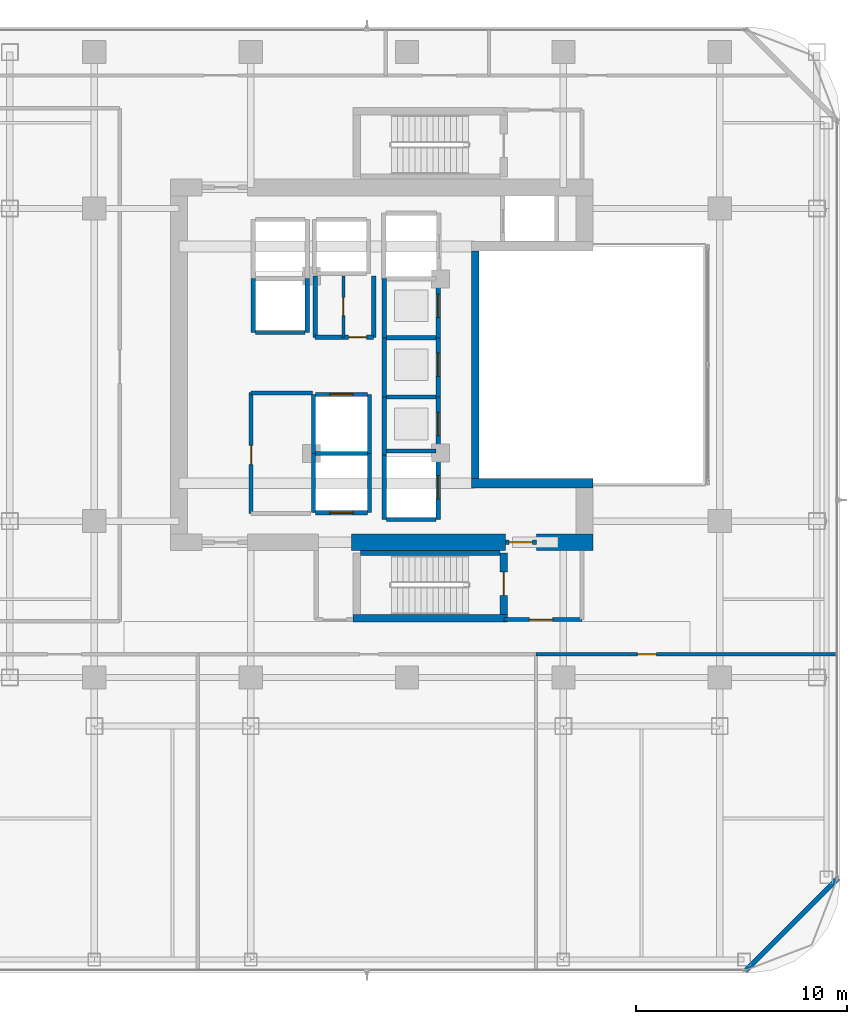
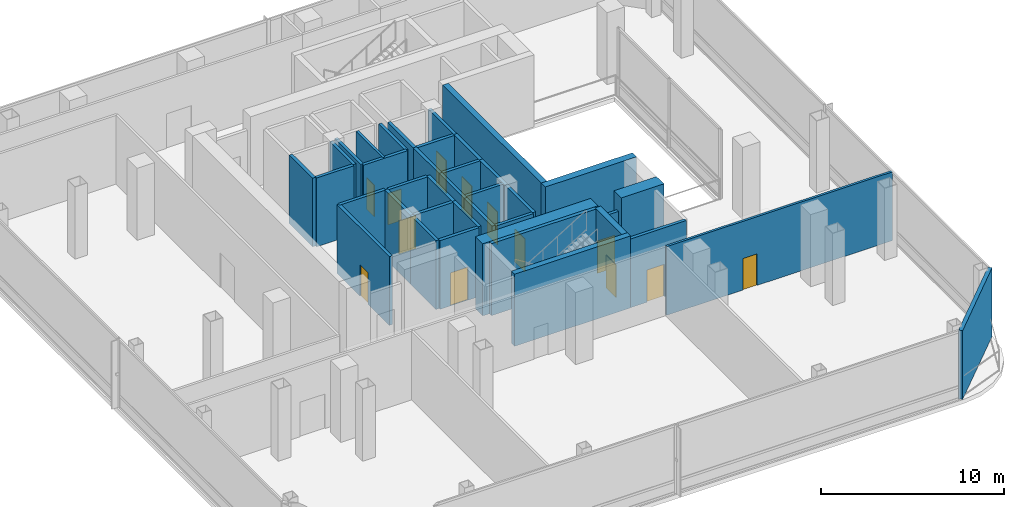
# One storey, part 16 of 22: 39 walls, 13 doors, 13 openings.
"""IFC4 building model written with IfcOpenShell, lengths in metres."""

from ifc_helpers import new_model, si_unit, direction, frame, frame_2d, origin, place, context, subcontext, project, spatial, rectangle, extrude, material, layer, layer_set, type_object, element, fill, save


model = new_model("IFC4")

# Units and contexts
model_context = context("Model", 3, precision=1e-05, world=origin(), true_north=direction((0.0, 1.0)))
body_context = subcontext(model_context, "Body", "Model", "MODEL_VIEW")
ifc_project = project(units=[si_unit("LENGTHUNIT", "METRE"), si_unit("AREAUNIT", "SQUARE_METRE"), si_unit("VOLUMEUNIT", "CUBIC_METRE"), si_unit("PLANEANGLEUNIT", "RADIAN"), si_unit("MASSUNIT", "GRAM", prefix="KILO")], contexts=[model_context])

# Site, building, storey
site_placement = place(None, origin())
site = spatial("IfcSite", under=ifc_project, at=site_placement, CompositionType="ELEMENT")
building_placement = place(site_placement, origin())
building = spatial("IfcBuilding", under=site, at=building_placement, Name="Khorvyn Point Tower", CompositionType="ELEMENT")
storey_placement = place(building_placement, frame((0.0, 0.0, 210.89990234375)))
storey = spatial("IfcBuildingStorey", under=building, at=storey_placement, Name="L52", CompositionType="ELEMENT", Elevation=210.89990234375)

# Walls
ifc_material_1 = material(Name="Pale anodised aluminium rainscreen on steel stud", Category="steel")
ifc_layer_1 = layer(ifc_material_1, 0.239990234375)
ifc_layer_set_1 = layer_set([ifc_layer_1], Name="Anodised Aluminium Insulated Corner Spandrel Wall 240")
wall_type_1 = type_object("IfcWallType", Name="Anodised Aluminium Insulated Corner Spandrel Wall 240", PredefinedType="SOLIDWALL", material=ifc_layer_set_1)
wall_1_placement = place(storey_placement, frame((20.392333984375, -24.3076171875, 0.0), z_axis=(0.0, 0.0, 1.0), x_axis=(-0.707106781187, -0.707106781187, 0.0)))
element("IfcWall", 1, at=wall_1_placement, inside=storey, type_object=wall_type_1, Name="L52 Rounded Corner Wall SE", PredefinedType="SOLIDWALL", context=body_context, shape_type="SweptSolid", body=[
    extrude(rectangle(XDim=6.200927734375, YDim=0.239990234375, at=frame_2d((3.1005859375, 0.0))), origin(), (0.0, 0.0, 1.0), 4.580078125),
])
ifc_material_2 = material(Name="Concrete C40/50", Category="concrete")
ifc_layer_2 = layer(ifc_material_2, 0.449951171875)
ifc_layer_set_2 = layer_set([ifc_layer_2], Name="Concrete C40/50 Core Shear Wall 450")
wall_type_2 = type_object("IfcWallType", Name="Concrete C40/50 Core Shear Wall 450", PredefinedType="SHEAR", material=ifc_layer_set_2)
wall_2_placement = place(storey_placement, frame((3.044921875, -5.60009765625, 0.0), z_axis=(0.0, 0.0, 1.0), x_axis=(1.0, 0.0, 0.0)))
element("IfcWall", 2, at=wall_2_placement, inside=storey, type_object=wall_type_2, Name="Wall", PredefinedType="SHEAR", context=body_context, shape_type="SweptSolid", body=[
    extrude(rectangle(XDim=5.755126953125, YDim=0.449951171875, at=frame_2d((2.87744140625, 0.0))), origin(), (0.0, 0.0, 1.0), 4.800048828125),
])

# Wall, opening, door
ifc_layer_3 = layer(ifc_material_2, 0.199951171875)
ifc_layer_set_3 = layer_set([ifc_layer_3], Name="Concrete C40/50 Fire-Lobby Compartment Wall 200")
wall_type_3 = type_object("IfcWallType", Name="Concrete C40/50 Fire-Lobby Compartment Wall 200", PredefinedType="SOLIDWALL", material=ifc_layer_set_3)
wall_3_placement = place(storey_placement, frame((4.580078125, -12.06005859375, 0.0), z_axis=(0.0, 0.0, 1.0), x_axis=(1.0, 0.0, 0.0)))
wall_3 = element("IfcWall", 3, at=wall_3_placement, inside=storey, type_object=wall_type_3, Name="Wall", PredefinedType="SOLIDWALL", context=body_context, shape_type="SweptSolid", body=[
    extrude(rectangle(XDim=3.699951171875, YDim=0.199951171875, at=frame_2d((1.85009765625, 0.0))), origin(), (0.0, 0.0, 1.0), 4.580078125),
])
opening_1_placement = place(wall_3_placement, frame((1.21240234375, 0.0, 0.0)))
opening_1 = element("IfcOpeningElement", 4, at=opening_1_placement, cuts=wall_3, Name="Opening ID-FL90", PredefinedType="OPENING", context=body_context, shape_type="SweptSolid", body=[
    extrude(rectangle(XDim=1.10009765625, YDim=2.14990234375, at=frame_2d((0.550048828125, 1.074951171875))), frame((0.0, 0.10986328125, 0.0), z_axis=(0.0, -1.0, 0.0), x_axis=(1.0, 0.0, 0.0)), (0.0, 0.0, 1.0), 0.219970703125),
])
ifc_material_3 = material(Name="Galvanised powder-coated steel", Category="steel")
door_type_1 = type_object("IfcDoorType", Name="Fire-Rated Steel Lobby and Stair Door 1100x2150", OperationType="NOTDEFINED", PredefinedType="DOOR", material=ifc_material_3)
door_1_placement = place(opening_1_placement, origin())
door_1 = element("IfcDoor", 5, at=door_1_placement, inside=storey, type_object=door_type_1, Name="Door", OperationType="SINGLE_SWING_LEFT", OverallHeight=2.14990234375, OverallWidth=1.10009765625, PredefinedType="DOOR", context=body_context, shape_type="SweptSolid", body=[
    extrude(rectangle(XDim=1.10009765625, YDim=2.14990234375, at=frame_2d((0.550048828125, 1.074951171875))), frame((0.0, 0.02490234375, 0.0), z_axis=(0.0, -1.0, 0.0), x_axis=(1.0, 0.0, 0.0)), (0.0, 0.0, 1.0), 0.050048828125),
])
fill(opening_1, door_1)

wall_4_placement = place(storey_placement, frame((4.64990234375, -8.39990234375, 0.0), z_axis=(0.0, 0.0, 1.0), x_axis=(1.0, 0.0, 0.0)))
wall_4 = element("IfcWall", 6, at=wall_4_placement, inside=storey, type_object=wall_type_3, Name="Wall", PredefinedType="SOLIDWALL", context=body_context, shape_type="SweptSolid", body=[
    extrude(rectangle(XDim=1.47021484375, YDim=0.199951171875, at=frame_2d((0.735107421875, 0.0))), origin(), (0.0, 0.0, 1.0), 3.72021484375),
])
opening_2_placement = place(wall_4_placement, frame((0.18505859375, 0.0, 0.0)))
opening_2 = element("IfcOpeningElement", 7, at=opening_2_placement, cuts=wall_4, Name="Opening ID-FL90", PredefinedType="OPENING", context=body_context, shape_type="SweptSolid", body=[
    extrude(rectangle(XDim=1.10009765625, YDim=2.14990234375, at=frame_2d((0.550048828125, 1.074951171875))), frame((0.0, 0.10986328125, 0.0), z_axis=(0.0, -1.0, 0.0), x_axis=(1.0, 0.0, 0.0)), (0.0, 0.0, 1.0), 0.219970703125),
])
door_2_placement = place(opening_2_placement, origin())
door_2 = element("IfcDoor", 8, at=door_2_placement, inside=storey, type_object=door_type_1, Name="Door", OperationType="SINGLE_SWING_RIGHT", OverallHeight=2.14990234375, OverallWidth=1.10009765625, PredefinedType="DOOR", context=body_context, shape_type="SweptSolid", body=[
    extrude(rectangle(XDim=1.10009765625, YDim=2.14990234375, at=frame_2d((0.550048828125, 1.074951171875))), frame((0.0, 0.02490234375, 0.0), z_axis=(0.0, -1.0, 0.0), x_axis=(1.0, 0.0, 0.0)), (0.0, 0.0, 1.0), 0.050048828125),
])
fill(opening_2, door_2)

wall_5_placement = place(storey_placement, frame((-7.3798828125, -7.0400390625, 0.0), z_axis=(0.0, 0.0, 1.0), x_axis=(0.0, 1.0, 0.0)))
wall_5 = element("IfcWall", 9, at=wall_5_placement, inside=storey, type_object=wall_type_3, Name="Wall", PredefinedType="SOLIDWALL", context=body_context, shape_type="SweptSolid", body=[
    extrude(rectangle(XDim=5.719970703125, YDim=0.199951171875, at=frame_2d((2.85986328125, 0.0))), origin(), (0.0, 0.0, 1.0), 4.580078125),
])
opening_3_placement = place(wall_5_placement, frame((2.310302734375, 0.0, 0.0)))
opening_3 = element("IfcOpeningElement", 10, at=opening_3_placement, cuts=wall_5, Name="Opening ID-RS60", PredefinedType="OPENING", context=body_context, shape_type="SweptSolid", body=[
    extrude(rectangle(XDim=0.919921875, YDim=2.10009765625, at=frame_2d((0.4599609375, 1.050048828125))), frame((0.0, 0.10986328125, 0.0), z_axis=(0.0, -1.0, 0.0), x_axis=(1.0, 0.0, 0.0)), (0.0, 0.0, 1.0), 0.219970703125),
])
door_type_2 = type_object("IfcDoorType", Name="Fire-Rated Riser and Store Steel Door 920x2100", OperationType="NOTDEFINED", PredefinedType="DOOR", material=ifc_material_3)
door_3_placement = place(opening_3_placement, origin())
door_3 = element("IfcDoor", 11, at=door_3_placement, inside=storey, type_object=door_type_2, Name="Door", OperationType="SINGLE_SWING_LEFT", OverallHeight=2.10009765625, OverallWidth=0.919921875, PredefinedType="DOOR", context=body_context, shape_type="SweptSolid", body=[
    extrude(rectangle(XDim=0.919921875, YDim=2.10009765625, at=frame_2d((0.4599609375, 1.050048828125))), frame((0.0, 0.02490234375, 0.0), z_axis=(0.0, -1.0, 0.0), x_axis=(1.0, 0.0, 0.0)), (0.0, 0.0, 1.0), 0.050048828125),
])
fill(opening_3, door_3)

wall_6_placement = place(storey_placement, frame((-4.35009765625, 1.300048828125, 0.0), z_axis=(0.0, 0.0, 1.0), x_axis=(1.0, 0.0, 0.0)))
wall_6 = element("IfcWall", 12, at=wall_6_placement, inside=storey, type_object=wall_type_3, Name="Wall", PredefinedType="SOLIDWALL", context=body_context, shape_type="SweptSolid", body=[
    extrude(rectangle(XDim=2.77001953125, YDim=0.199951171875, at=frame_2d((1.385009765625, 0.0))), origin(), (0.0, 0.0, 1.0), 4.580078125),
])
opening_4_placement = place(wall_6_placement, frame((1.582275390625, 0.0, 0.0)))
opening_4 = element("IfcOpeningElement", 13, at=opening_4_placement, cuts=wall_6, Name="Opening ID-WC85", PredefinedType="OPENING", context=body_context, shape_type="SweptSolid", body=[
    extrude(rectangle(XDim=0.85009765625, YDim=2.10009765625, at=frame_2d((0.425048828125, 1.050048828125))), frame((0.0, 0.10986328125, 0.0), z_axis=(0.0, -1.0, 0.0), x_axis=(1.0, 0.0, 0.0)), (0.0, 0.0, 1.0), 0.219970703125),
])
ifc_material_4 = material(Name="High-pressure laminate on moisture-resistant core", Category="wood")
door_type_3 = type_object("IfcDoorType", Name="Moisture-Resistant Accessible Washroom Door 850x2100", OperationType="NOTDEFINED", PredefinedType="DOOR", material=ifc_material_4)
door_4_placement = place(opening_4_placement, origin())
door_4 = element("IfcDoor", 14, at=door_4_placement, inside=storey, type_object=door_type_3, Name="Door", OperationType="SINGLE_SWING_LEFT", OverallHeight=2.10009765625, OverallWidth=0.85009765625, PredefinedType="DOOR", context=body_context, shape_type="SweptSolid", body=[
    extrude(rectangle(XDim=0.85009765625, YDim=2.10009765625, at=frame_2d((0.425048828125, 1.050048828125))), frame((0.0, 0.02490234375, 0.0), z_axis=(0.0, -1.0, 0.0), x_axis=(1.0, 0.0, 0.0)), (0.0, 0.0, 1.0), 0.050048828125),
])
fill(opening_4, door_4)

# Walls
wall_7_placement = place(storey_placement, frame((-7.3798828125, -1.340087890625, 0.0), z_axis=(0.0, 0.0, 1.0), x_axis=(1.0, 0.0, 0.0)))
element("IfcWall", 15, at=wall_7_placement, inside=storey, type_object=wall_type_3, Name="Wall", PredefinedType="SOLIDWALL", context=body_context, shape_type="SweptSolid", body=[
    extrude(rectangle(XDim=2.909912109375, YDim=0.199951171875, at=frame_2d((1.455078125, 0.0))), origin(), (0.0, 0.0, 1.0), 4.580078125),
])
for number, where, z_axis, x_axis, name in (
    (16, (-4.35009765625, 1.300048828125, 0.0), (0.0, 0.0, 1.0), (0.0, 1.0, 0.0), "Wall"),
    (17, (-1.580078125, 1.300048828125, 0.0), (0.0, 0.0, 1.0), (0.0, 1.0, 0.0), "Wall"),
):
    element("IfcWall", number, at=place(storey_placement, frame(where, z_axis=z_axis, x_axis=x_axis)), inside=storey, type_object=wall_type_3, Name=name, PredefinedType="SOLIDWALL", context=body_context, shape_type="SweptSolid", body=[
        extrude(rectangle(XDim=2.89990234375, YDim=0.199951171875, at=frame_2d((1.449951171875, 0.0))), origin(), (0.0, 0.0, 1.0), 4.580078125),
    ])
ifc_layer_4 = layer(ifc_material_2, 0.25)
ifc_layer_set_4 = layer_set([ifc_layer_4], Name="Concrete C40/50 Stair Inner Cheek Structural Wall 250")
wall_type_4 = type_object("IfcWallType", Name="Concrete C40/50 Stair Inner Cheek Structural Wall 250", PredefinedType="SHEAR", material=ifc_layer_set_4)
wall_8_placement = place(storey_placement, frame((-2.199951171875, -8.91259765625, 0.0), z_axis=(0.0, 0.0, 1.0), x_axis=(1.0, 0.0, 0.0)))
element("IfcWall", 18, at=wall_8_placement, inside=storey, type_object=wall_type_4, Name="Wall", PredefinedType="SHEAR", context=body_context, shape_type="SweptSolid", body=[
    extrude(rectangle(XDim=6.599853515625, YDim=0.22509765625, at=frame_2d((3.2998046875, 0.0))), origin(), (0.0, 0.0, 1.0), 4.800048828125),
])
ifc_layer_5 = layer(ifc_material_2, 0.35009765625)
ifc_layer_set_5 = layer_set([ifc_layer_5], Name="Concrete C40/50 Stair Shaft Structural Wall 350")
wall_type_5 = type_object("IfcWallType", Name="Concrete C40/50 Stair Shaft Structural Wall 350", PredefinedType="SHEAR", material=ifc_layer_set_5)
wall_9_placement = place(storey_placement, frame((3.219970703125, -5.375, 0.0), z_axis=(0.0, 0.0, 1.0), x_axis=(0.0, 1.0, 0.0)))
element("IfcWall", 19, at=wall_9_placement, inside=storey, type_object=wall_type_5, Name="Wall", PredefinedType="SHEAR", context=body_context, shape_type="SweptSolid", body=[
    extrude(rectangle(XDim=10.75, YDim=0.35009765625, at=frame_2d((5.375, 0.0))), origin(), (0.0, 0.0, 1.0), 4.800048828125),
])
wall_10_placement = place(storey_placement, frame((-2.554931640625, -12.0, 0.0), z_axis=(0.0, 0.0, 1.0), x_axis=(1.0, 0.0, 0.0)))
element("IfcWall", 20, at=wall_10_placement, inside=storey, type_object=wall_type_5, Name="L52 ST-01 South Shaft Wall", PredefinedType="SHEAR", context=body_context, shape_type="SweptSolid", body=[
    extrude(rectangle(XDim=7.309814453125, YDim=0.35009765625, at=frame_2d((3.65478515625, 0.0))), origin(), (0.0, 0.0, 1.0), 4.800048828125),
])

# Wall, opening, door
wall_11_placement = place(storey_placement, frame((4.580078125, -8.89990234375, 0.0), z_axis=(0.0, 0.0, 1.0), x_axis=(0.0, -1.0, 0.0)))
wall_11 = element("IfcWall", 21, at=wall_11_placement, inside=storey, type_object=wall_type_5, Name="L52 ST-01 East Landing Door Wall", PredefinedType="SHEAR", context=body_context, shape_type="SweptSolid", body=[
    extrude(rectangle(XDim=2.925048828125, YDim=0.35009765625, at=frame_2d((1.46240234375, 0.0))), origin(), (0.0, 0.0, 1.0), 4.800048828125),
])
opening_5_placement = place(wall_11_placement, frame((0.91259765625, 0.0, 0.0)))
opening_5 = element("IfcOpeningElement", 22, at=opening_5_placement, cuts=wall_11, Name="Opening ID-FL90", PredefinedType="OPENING", context=body_context, shape_type="SweptSolid", body=[
    extrude(rectangle(XDim=1.10009765625, YDim=2.14990234375, at=frame_2d((0.550048828125, 1.074951171875))), frame((0.0, 0.18505859375, 0.0), z_axis=(0.0, -1.0, 0.0), x_axis=(1.0, 0.0, 0.0)), (0.0, 0.0, 1.0), 0.3701171875),
])
door_5_placement = place(opening_5_placement, origin())
door_5 = element("IfcDoor", 23, at=door_5_placement, inside=storey, type_object=door_type_1, Name="L52 ST-01 Smokeproof Landing Door", OperationType="SINGLE_SWING_RIGHT", OverallHeight=2.14990234375, OverallWidth=1.10009765625, PredefinedType="DOOR", context=body_context, shape_type="SweptSolid", body=[
    extrude(rectangle(XDim=1.10009765625, YDim=2.14990234375, at=frame_2d((0.550048828125, 1.074951171875))), frame((0.0, 0.02490234375, 0.0), z_axis=(0.0, -1.0, 0.0), x_axis=(1.0, 0.0, 0.0)), (0.0, 0.0, 1.0), 0.050048828125),
])
fill(opening_5, door_5)

# Walls
ifc_layer_6 = layer(ifc_material_2, 0.199951171875)
ifc_layer_set_6 = layer_set([ifc_layer_6], Name="Concrete C40/50 Structural Hoistway and Stair Shaft Wall 200")
wall_type_6 = type_object("IfcWallType", Name="Concrete C40/50 Structural Hoistway and Stair Shaft Wall 200", PredefinedType="SHEAR", material=ifc_layer_set_6)
for number, where, z_axis, x_axis, name in (
    (24, (-7.27490234375, 1.52490234375, 0.0), (0.0, 0.0, 1.0), (0.0, 1.0, 0.0), "Wall"),
    (25, (-4.72509765625, 1.52490234375, 0.0), (0.0, 0.0, 1.0), (0.0, 1.0, 0.0), "Wall"),
):
    element("IfcWall", number, at=place(storey_placement, frame(where, z_axis=z_axis, x_axis=x_axis)), inside=storey, type_object=wall_type_6, Name=name, PredefinedType="SHEAR", context=body_context, shape_type="SweptSolid", body=[
        extrude(rectangle(XDim=2.550048828125, YDim=0.199951171875, at=frame_2d((1.27490234375, 0.0))), origin(), (0.0, 0.0, 1.0), 4.580078125),
    ])
wall_12_placement = place(storey_placement, frame((-7.175048828125, 1.52490234375, 0.0), z_axis=(0.0, 0.0, 1.0), x_axis=(1.0, 0.0, 0.0)))
element("IfcWall", 26, at=wall_12_placement, inside=storey, type_object=wall_type_6, Name="Wall", PredefinedType="SHEAR", context=body_context, shape_type="SweptSolid", body=[
    extrude(rectangle(XDim=2.35009765625, YDim=0.199951171875, at=frame_2d((1.175048828125, 0.0))), origin(), (0.0, 0.0, 1.0), 4.580078125),
])
for number, where, z_axis, x_axis, name in (
    (27, (-4.425048828125, -7.0, 0.0), (0.0, 0.0, 1.0), (0.0, 1.0, 0.0), "Wall"),
    (28, (-1.77490234375, -7.0, 0.0), (0.0, 0.0, 1.0), (0.0, 1.0, 0.0), "Wall"),
):
    element("IfcWall", number, at=place(storey_placement, frame(where, z_axis=z_axis, x_axis=x_axis)), inside=storey, type_object=wall_type_6, Name=name, PredefinedType="SHEAR", context=body_context, shape_type="SweptSolid", body=[
        extrude(rectangle(XDim=2.800048828125, YDim=0.199951171875, at=frame_2d((1.39990234375, 0.0))), origin(), (0.0, 0.0, 1.0), 4.580078125),
    ])

# Wall, opening, door
wall_13_placement = place(storey_placement, frame((-4.324951171875, -7.0, 0.0), z_axis=(0.0, 0.0, 1.0), x_axis=(1.0, 0.0, 0.0)))
wall_13 = element("IfcWall", 29, at=wall_13_placement, inside=storey, type_object=wall_type_6, Name="Wall", PredefinedType="SHEAR", context=body_context, shape_type="SweptSolid", body=[
    extrude(rectangle(XDim=2.449951171875, YDim=0.199951171875, at=frame_2d((1.22509765625, 0.0))), origin(), (0.0, 0.0, 1.0), 4.580078125),
])
opening_6_placement = place(wall_13_placement, frame((0.675048828125, 0.0, 0.0)))
opening_6 = element("IfcOpeningElement", 30, at=opening_6_placement, cuts=wall_13, Name="Opening LD-1122", PredefinedType="OPENING", context=body_context, shape_type="SweptSolid", body=[
    extrude(rectangle(XDim=1.10009765625, YDim=2.199951171875, at=frame_2d((0.550048828125, 1.10009765625))), frame((0.0, 0.10986328125, 0.0), z_axis=(0.0, -1.0, 0.0), x_axis=(1.0, 0.0, 0.0)), (0.0, 0.0, 1.0), 0.219970703125),
])
ifc_material_5 = material(Name="Stainless steel 1.4301", Category="steel")
door_type_4 = type_object("IfcDoorType", Name="Stainless Steel Automatic Sliding Lift Landing Door 1100x2200", OperationType="SLIDING_TO_LEFT", PredefinedType="DOOR", material=ifc_material_5)
door_6_placement = place(opening_6_placement, origin())
door_6 = element("IfcDoor", 31, at=door_6_placement, inside=storey, type_object=door_type_4, Name="L52 RS-01 Sliding Lift Landing Door", OperationType="SLIDING_TO_LEFT", OverallHeight=2.199951171875, OverallWidth=1.10009765625, PredefinedType="DOOR", context=body_context, shape_type="SweptSolid", body=[
    extrude(rectangle(XDim=1.10009765625, YDim=2.199951171875, at=frame_2d((0.550048828125, 1.10009765625))), frame((0.0, 0.02490234375, 0.0), z_axis=(0.0, -1.0, 0.0), x_axis=(1.0, 0.0, 0.0)), (0.0, 0.0, 1.0), 0.050048828125),
])
fill(opening_6, door_6)

# Walls
wall_14_placement = place(storey_placement, frame((-4.324951171875, -4.199951171875, 0.0), z_axis=(0.0, 0.0, 1.0), x_axis=(1.0, 0.0, 0.0)))
element("IfcWall", 32, at=wall_14_placement, inside=storey, type_object=wall_type_6, Name="Wall", PredefinedType="SHEAR", context=body_context, shape_type="SweptSolid", body=[
    extrude(rectangle(XDim=2.449951171875, YDim=0.199951171875, at=frame_2d((1.22509765625, 0.0))), origin(), (0.0, 0.0, 1.0), 4.580078125),
])
for number, where, z_axis, x_axis, name in (
    (33, (-4.425048828125, -4.199951171875, 0.0), (0.0, 0.0, 1.0), (0.0, 1.0, 0.0), "Wall"),
    (34, (-1.77490234375, -4.199951171875, 0.0), (0.0, 0.0, 1.0), (0.0, 1.0, 0.0), "Wall"),
):
    element("IfcWall", number, at=place(storey_placement, frame(where, z_axis=z_axis, x_axis=x_axis)), inside=storey, type_object=wall_type_6, Name=name, PredefinedType="SHEAR", context=body_context, shape_type="SweptSolid", body=[
        extrude(rectangle(XDim=2.800048828125, YDim=0.199951171875, at=frame_2d((1.39990234375, 0.0))), origin(), (0.0, 0.0, 1.0), 4.580078125),
    ])

# Wall, opening, door
wall_15_placement = place(storey_placement, frame((-4.324951171875, -1.39990234375, 0.0), z_axis=(0.0, 0.0, 1.0), x_axis=(1.0, 0.0, 0.0)))
wall_15 = element("IfcWall", 35, at=wall_15_placement, inside=storey, type_object=wall_type_6, Name="Wall", PredefinedType="SHEAR", context=body_context, shape_type="SweptSolid", body=[
    extrude(rectangle(XDim=2.449951171875, YDim=0.199951171875, at=frame_2d((1.22509765625, 0.0))), origin(), (0.0, 0.0, 1.0), 4.580078125),
])
opening_7_placement = place(wall_15_placement, frame((0.675048828125, 0.0, 0.0)))
opening_7 = element("IfcOpeningElement", 36, at=opening_7_placement, cuts=wall_15, Name="Opening LD-1122", PredefinedType="OPENING", context=body_context, shape_type="SweptSolid", body=[
    extrude(rectangle(XDim=1.10009765625, YDim=2.199951171875, at=frame_2d((0.550048828125, 1.10009765625))), frame((0.0, 0.10986328125, 0.0), z_axis=(0.0, -1.0, 0.0), x_axis=(1.0, 0.0, 0.0)), (0.0, 0.0, 1.0), 0.219970703125),
])
door_7_placement = place(opening_7_placement, origin())
door_7 = element("IfcDoor", 37, at=door_7_placement, inside=storey, type_object=door_type_4, Name="L52 RS-02 Sliding Lift Landing Door", OperationType="SLIDING_TO_LEFT", OverallHeight=2.199951171875, OverallWidth=1.10009765625, PredefinedType="DOOR", context=body_context, shape_type="SweptSolid", body=[
    extrude(rectangle(XDim=1.10009765625, YDim=2.199951171875, at=frame_2d((0.550048828125, 1.10009765625))), frame((0.0, 0.02490234375, 0.0), z_axis=(0.0, -1.0, 0.0), x_axis=(1.0, 0.0, 0.0)), (0.0, 0.0, 1.0), 0.050048828125),
])
fill(opening_7, door_7)

# Wall
wall_16_placement = place(storey_placement, frame((-1.074951171875, -4.27490234375, 0.0), z_axis=(0.0, 0.0, 1.0), x_axis=(0.0, 1.0, 0.0)))
element("IfcWall", 38, at=wall_16_placement, inside=storey, type_object=wall_type_6, Name="Wall", PredefinedType="SHEAR", context=body_context, shape_type="SweptSolid", body=[
    extrude(rectangle(XDim=2.75, YDim=0.199951171875, at=frame_2d((1.375, 0.0))), origin(), (0.0, 0.0, 1.0), 4.580078125),
])

# Wall, opening, door
wall_17_placement = place(storey_placement, frame((1.47509765625, -4.27490234375, 0.0), z_axis=(0.0, 0.0, 1.0), x_axis=(0.0, 1.0, 0.0)))
wall_17 = element("IfcWall", 39, at=wall_17_placement, inside=storey, type_object=wall_type_6, Name="Wall", PredefinedType="SHEAR", context=body_context, shape_type="SweptSolid", body=[
    extrude(rectangle(XDim=2.75, YDim=0.199951171875, at=frame_2d((1.375, 0.0))), origin(), (0.0, 0.0, 1.0), 4.580078125),
])
opening_8_placement = place(wall_17_placement, frame((0.925048828125, 0.0, 0.0)))
opening_8 = element("IfcOpeningElement", 40, at=opening_8_placement, cuts=wall_17, Name="Opening LD-1122", PredefinedType="OPENING", context=body_context, shape_type="SweptSolid", body=[
    extrude(rectangle(XDim=1.10009765625, YDim=2.199951171875, at=frame_2d((0.550048828125, 1.10009765625))), frame((0.0, 0.10986328125, 0.0), z_axis=(0.0, -1.0, 0.0), x_axis=(1.0, 0.0, 0.0)), (0.0, 0.0, 1.0), 0.219970703125),
])
door_8_placement = place(opening_8_placement, origin())
door_8 = element("IfcDoor", 41, at=door_8_placement, inside=storey, type_object=door_type_4, Name="L52 RH-01 Sliding Lift Landing Door", OperationType="SLIDING_TO_LEFT", OverallHeight=2.199951171875, OverallWidth=1.10009765625, PredefinedType="DOOR", context=body_context, shape_type="SweptSolid", body=[
    extrude(rectangle(XDim=1.10009765625, YDim=2.199951171875, at=frame_2d((0.550048828125, 1.10009765625))), frame((0.0, 0.02490234375, 0.0), z_axis=(0.0, -1.0, 0.0), x_axis=(1.0, 0.0, 0.0)), (0.0, 0.0, 1.0), 0.050048828125),
])
fill(opening_8, door_8)

# Walls
for number, where, z_axis, x_axis, name in (
    (42, (-0.97509765625, -4.074951171875, 0.0), (0.0, 0.0, 1.0), (1.0, 0.0, 0.0), "Wall"),
    (43, (-0.97509765625, -1.52490234375, 0.0), (0.0, 0.0, 1.0), (1.0, 0.0, 0.0), "Wall"),
):
    element("IfcWall", number, at=place(storey_placement, frame(where, z_axis=z_axis, x_axis=x_axis)), inside=storey, type_object=wall_type_6, Name=name, PredefinedType="SHEAR", context=body_context, shape_type="SweptSolid", body=[
        extrude(rectangle(XDim=2.35009765625, YDim=0.199951171875, at=frame_2d((1.175048828125, 0.0))), origin(), (0.0, 0.0, 1.0), 4.580078125),
    ])
wall_18_placement = place(storey_placement, frame((-1.074951171875, -1.52490234375, 0.0), z_axis=(0.0, 0.0, 1.0), x_axis=(0.0, 1.0, 0.0)))
element("IfcWall", 44, at=wall_18_placement, inside=storey, type_object=wall_type_6, Name="Wall", PredefinedType="SHEAR", context=body_context, shape_type="SweptSolid", body=[
    extrude(rectangle(XDim=2.7998046875, YDim=0.199951171875, at=frame_2d((1.39990234375, 0.0))), origin(), (0.0, 0.0, 1.0), 4.580078125),
])

# Wall, opening, door
wall_19_placement = place(storey_placement, frame((1.47509765625, -1.52490234375, 0.0), z_axis=(0.0, 0.0, 1.0), x_axis=(0.0, 1.0, 0.0)))
wall_19 = element("IfcWall", 45, at=wall_19_placement, inside=storey, type_object=wall_type_6, Name="Wall", PredefinedType="SHEAR", context=body_context, shape_type="SweptSolid", body=[
    extrude(rectangle(XDim=2.7998046875, YDim=0.199951171875, at=frame_2d((1.39990234375, 0.0))), origin(), (0.0, 0.0, 1.0), 4.580078125),
])
opening_9_placement = place(wall_19_placement, frame((0.97509765625, 0.0, 0.0)))
opening_9 = element("IfcOpeningElement", 46, at=opening_9_placement, cuts=wall_19, Name="Opening LD-1122", PredefinedType="OPENING", context=body_context, shape_type="SweptSolid", body=[
    extrude(rectangle(XDim=1.10009765625, YDim=2.199951171875, at=frame_2d((0.550048828125, 1.10009765625))), frame((0.0, 0.10986328125, 0.0), z_axis=(0.0, -1.0, 0.0), x_axis=(1.0, 0.0, 0.0)), (0.0, 0.0, 1.0), 0.219970703125),
])
door_9_placement = place(opening_9_placement, origin())
door_9 = element("IfcDoor", 47, at=door_9_placement, inside=storey, type_object=door_type_4, Name="L52 RH-02 Sliding Lift Landing Door", OperationType="SLIDING_TO_LEFT", OverallHeight=2.199951171875, OverallWidth=1.10009765625, PredefinedType="DOOR", context=body_context, shape_type="SweptSolid", body=[
    extrude(rectangle(XDim=1.10009765625, YDim=2.199951171875, at=frame_2d((0.550048828125, 1.10009765625))), frame((0.0, 0.02490234375, 0.0), z_axis=(0.0, -1.0, 0.0), x_axis=(1.0, 0.0, 0.0)), (0.0, 0.0, 1.0), 0.050048828125),
])
fill(opening_9, door_9)

# Walls
wall_20_placement = place(storey_placement, frame((-0.97509765625, 1.27490234375, 0.0), z_axis=(0.0, 0.0, 1.0), x_axis=(1.0, 0.0, 0.0)))
element("IfcWall", 48, at=wall_20_placement, inside=storey, type_object=wall_type_6, Name="Wall", PredefinedType="SHEAR", context=body_context, shape_type="SweptSolid", body=[
    extrude(rectangle(XDim=2.35009765625, YDim=0.199951171875, at=frame_2d((1.175048828125, 0.0))), origin(), (0.0, 0.0, 1.0), 4.580078125),
])
wall_21_placement = place(storey_placement, frame((-1.074951171875, 1.27490234375, 0.0), z_axis=(0.0, 0.0, 1.0), x_axis=(0.0, 1.0, 0.0)))
element("IfcWall", 49, at=wall_21_placement, inside=storey, type_object=wall_type_6, Name="Wall", PredefinedType="SHEAR", context=body_context, shape_type="SweptSolid", body=[
    extrude(rectangle(XDim=2.800048828125, YDim=0.199951171875, at=frame_2d((1.39990234375, 0.0))), origin(), (0.0, 0.0, 1.0), 4.580078125),
])

# Wall, opening, door
wall_22_placement = place(storey_placement, frame((1.47509765625, 1.27490234375, 0.0), z_axis=(0.0, 0.0, 1.0), x_axis=(0.0, 1.0, 0.0)))
wall_22 = element("IfcWall", 50, at=wall_22_placement, inside=storey, type_object=wall_type_6, Name="Wall", PredefinedType="SHEAR", context=body_context, shape_type="SweptSolid", body=[
    extrude(rectangle(XDim=2.800048828125, YDim=0.199951171875, at=frame_2d((1.39990234375, 0.0))), origin(), (0.0, 0.0, 1.0), 4.580078125),
])
opening_10_placement = place(wall_22_placement, frame((0.97509765625, 0.0, 0.0)))
opening_10 = element("IfcOpeningElement", 51, at=opening_10_placement, cuts=wall_22, Name="Opening LD-1122", PredefinedType="OPENING", context=body_context, shape_type="SweptSolid", body=[
    extrude(rectangle(XDim=1.10009765625, YDim=2.199951171875, at=frame_2d((0.550048828125, 1.10009765625))), frame((0.0, 0.10986328125, 0.0), z_axis=(0.0, -1.0, 0.0), x_axis=(1.0, 0.0, 0.0)), (0.0, 0.0, 1.0), 0.219970703125),
])
door_10_placement = place(opening_10_placement, origin())
door_10 = element("IfcDoor", 52, at=door_10_placement, inside=storey, type_object=door_type_4, Name="L52 RH-03 Sliding Lift Landing Door", OperationType="SLIDING_TO_LEFT", OverallHeight=2.199951171875, OverallWidth=1.10009765625, PredefinedType="DOOR", context=body_context, shape_type="SweptSolid", body=[
    extrude(rectangle(XDim=1.10009765625, YDim=2.199951171875, at=frame_2d((0.550048828125, 1.10009765625))), frame((0.0, 0.02490234375, 0.0), z_axis=(0.0, -1.0, 0.0), x_axis=(1.0, 0.0, 0.0)), (0.0, 0.0, 1.0), 0.050048828125),
])
fill(opening_10, door_10)

# Wall
wall_23_placement = place(storey_placement, frame((-1.074951171875, -7.324951171875, 0.0), z_axis=(0.0, 0.0, 1.0), x_axis=(0.0, 1.0, 0.0)))
element("IfcWall", 53, at=wall_23_placement, inside=storey, type_object=wall_type_6, Name="Wall", PredefinedType="SHEAR", context=body_context, shape_type="SweptSolid", body=[
    extrude(rectangle(XDim=3.050048828125, YDim=0.199951171875, at=frame_2d((1.52490234375, 0.0))), origin(), (0.0, 0.0, 1.0), 4.580078125),
])

# Wall, opening, door
wall_24_placement = place(storey_placement, frame((1.47509765625, -7.324951171875, 0.0), z_axis=(0.0, 0.0, 1.0), x_axis=(0.0, 1.0, 0.0)))
wall_24 = element("IfcWall", 54, at=wall_24_placement, inside=storey, type_object=wall_type_6, Name="Wall", PredefinedType="SHEAR", context=body_context, shape_type="SweptSolid", body=[
    extrude(rectangle(XDim=3.050048828125, YDim=0.199951171875, at=frame_2d((1.52490234375, 0.0))), origin(), (0.0, 0.0, 1.0), 4.580078125),
])
opening_11_placement = place(wall_24_placement, frame((0.97509765625, 0.0, 0.0)))
opening_11 = element("IfcOpeningElement", 55, at=opening_11_placement, cuts=wall_24, Name="Opening LD-1122", PredefinedType="OPENING", context=body_context, shape_type="SweptSolid", body=[
    extrude(rectangle(XDim=1.10009765625, YDim=2.199951171875, at=frame_2d((0.550048828125, 1.10009765625))), frame((0.0, 0.10986328125, 0.0), z_axis=(0.0, -1.0, 0.0), x_axis=(1.0, 0.0, 0.0)), (0.0, 0.0, 1.0), 0.219970703125),
])
door_11_placement = place(opening_11_placement, origin())
door_11 = element("IfcDoor", 56, at=door_11_placement, inside=storey, type_object=door_type_4, Name="L52 FF-01 Sliding Lift Landing Door", OperationType="SLIDING_TO_LEFT", OverallHeight=2.199951171875, OverallWidth=1.10009765625, PredefinedType="DOOR", context=body_context, shape_type="SweptSolid", body=[
    extrude(rectangle(XDim=1.10009765625, YDim=2.199951171875, at=frame_2d((0.550048828125, 1.10009765625))), frame((0.0, 0.02490234375, 0.0), z_axis=(0.0, -1.0, 0.0), x_axis=(1.0, 0.0, 0.0)), (0.0, 0.0, 1.0), 0.050048828125),
])
fill(opening_11, door_11)

# Walls
wall_25_placement = place(storey_placement, frame((-0.97509765625, -7.324951171875, 0.0), z_axis=(0.0, 0.0, 1.0), x_axis=(1.0, 0.0, 0.0)))
element("IfcWall", 57, at=wall_25_placement, inside=storey, type_object=wall_type_6, Name="Wall", PredefinedType="SHEAR", context=body_context, shape_type="SweptSolid", body=[
    extrude(rectangle(XDim=2.35009765625, YDim=0.199951171875, at=frame_2d((1.175048828125, 0.0))), origin(), (0.0, 0.0, 1.0), 4.580078125),
])
ifc_material_6 = material(Name="Concrete C45/55", Category="concrete")
ifc_layer_7 = layer(ifc_material_6, 0.800048828125)
ifc_layer_set_7 = layer_set([ifc_layer_7], Name="Concrete C45/55 Core Shear Wall 800")
wall_type_7 = type_object("IfcWallType", Name="Concrete C45/55 Core Shear Wall 800", PredefinedType="SHEAR", material=ifc_layer_set_7)
wall_26_placement = place(storey_placement, frame((-2.6201171875, -8.39990234375, 0.0), z_axis=(0.0, 0.0, 1.0), x_axis=(1.0, 0.0, 0.0)))
element("IfcWall", 58, at=wall_26_placement, inside=storey, type_object=wall_type_7, Name="Wall", PredefinedType="SHEAR", context=body_context, shape_type="SweptSolid", body=[
    extrude(rectangle(XDim=7.27001953125, YDim=0.800048828125, at=frame_2d((3.635009765625, 0.0))), origin(), (0.0, 0.0, 1.0), 4.800048828125),
])
wall_27_placement = place(storey_placement, frame((6.1201171875, -8.39990234375, 0.0), z_axis=(0.0, 0.0, 1.0), x_axis=(1.0, 0.0, 0.0)))
element("IfcWall", 59, at=wall_27_placement, inside=storey, type_object=wall_type_7, Name="Wall", PredefinedType="SHEAR", context=body_context, shape_type="SweptSolid", body=[
    extrude(rectangle(XDim=2.679931640625, YDim=0.800048828125, at=frame_2d((1.33984375, 0.0))), origin(), (0.0, 0.0, 1.0), 4.800048828125),
])

# Wall, opening, door
ifc_material_7 = material(Name="Moisture-resistant gypsum and cement board", Category="gypsum")
ifc_layer_8 = layer(ifc_material_7, 0.14990234375)
ifc_layer_set_8 = layer_set([ifc_layer_8], Name="Moisture-Resistant Wet-Room Partition Wall 150")
wall_type_8 = type_object("IfcWallType", Name="Moisture-Resistant Wet-Room Partition Wall 150", PredefinedType="PARTITIONING", material=ifc_layer_set_8)
wall_28_placement = place(storey_placement, frame((-3.010009765625, 1.300048828125, 0.0), z_axis=(0.0, 0.0, 1.0), x_axis=(0.0, 1.0, 0.0)))
wall_28 = element("IfcWall", 60, at=wall_28_placement, inside=storey, type_object=wall_type_8, Name="Wall", PredefinedType="PARTITIONING", context=body_context, shape_type="SweptSolid", body=[
    extrude(rectangle(XDim=2.89990234375, YDim=0.14990234375, at=frame_2d((1.449951171875, 0.0))), origin(), (0.0, 0.0, 1.0), 4.580078125),
])
opening_12_placement = place(wall_28_placement, frame((1.02490234375, 0.0, 0.0)))
opening_12 = element("IfcOpeningElement", 61, at=opening_12_placement, cuts=wall_28, Name="Opening ID-WC85", PredefinedType="OPENING", context=body_context, shape_type="SweptSolid", body=[
    extrude(rectangle(XDim=0.85009765625, YDim=2.10009765625, at=frame_2d((0.425048828125, 1.050048828125))), frame((0.0, 0.0849609375, 0.0), z_axis=(0.0, -1.0, 0.0), x_axis=(1.0, 0.0, 0.0)), (0.0, 0.0, 1.0), 0.169921875),
])
door_12_placement = place(opening_12_placement, origin())
door_12 = element("IfcDoor", 62, at=door_12_placement, inside=storey, type_object=door_type_3, Name="Door", OperationType="SINGLE_SWING_RIGHT", OverallHeight=2.10009765625, OverallWidth=0.85009765625, PredefinedType="DOOR", context=body_context, shape_type="SweptSolid", body=[
    extrude(rectangle(XDim=0.85009765625, YDim=2.10009765625, at=frame_2d((0.425048828125, 1.050048828125))), frame((0.0, 0.02490234375, 0.0), z_axis=(0.0, -1.0, 0.0), x_axis=(1.0, 0.0, 0.0)), (0.0, 0.0, 1.0), 0.050048828125),
])
fill(opening_12, door_12)

wall_29_placement = place(storey_placement, frame((6.10595703125, -13.699951171875, 0.0), z_axis=(0.0, 0.0, 1.0), x_axis=(1.0, 0.0, 0.0)))
wall_29 = element("IfcWall", 63, at=wall_29_placement, inside=storey, type_object=wall_type_8, Name="Wall", PredefinedType="PARTITIONING", context=body_context, shape_type="SweptSolid", body=[
    extrude(rectangle(XDim=14.22412109375, YDim=0.14990234375, at=frame_2d((7.112060546875, 0.0))), origin(), (0.0, 0.0, 1.0), 4.580078125),
])
opening_13_placement = place(wall_29_placement, frame((4.79150390625, 0.0, 0.0)))
opening_13 = element("IfcOpeningElement", 64, at=opening_13_placement, cuts=wall_29, Name="Opening ID-RM90", PredefinedType="OPENING", context=body_context, shape_type="SweptSolid", body=[
    extrude(rectangle(XDim=0.89990234375, YDim=2.10009765625, at=frame_2d((0.449951171875, 1.050048828125))), frame((0.0, 0.0849609375, 0.0), z_axis=(0.0, -1.0, 0.0), x_axis=(1.0, 0.0, 0.0)), (0.0, 0.0, 1.0), 0.169921875),
])
ifc_material_8 = material(Name="Engineered oak veneer timber", Category="wood")
door_type_5 = type_object("IfcDoorType", Name="Flush Engineered Timber Room Door 900x2100", OperationType="NOTDEFINED", PredefinedType="DOOR", material=ifc_material_8)
door_13_placement = place(opening_13_placement, origin())
door_13 = element("IfcDoor", 65, at=door_13_placement, inside=storey, type_object=door_type_5, Name="Door", OperationType="SINGLE_SWING_LEFT", OverallHeight=2.10009765625, OverallWidth=0.89990234375, PredefinedType="DOOR", context=body_context, shape_type="SweptSolid", body=[
    extrude(rectangle(XDim=0.89990234375, YDim=2.10009765625, at=frame_2d((0.449951171875, 1.050048828125))), frame((0.0, 0.02490234375, 0.0), z_axis=(0.0, -1.0, 0.0), x_axis=(1.0, 0.0, 0.0)), (0.0, 0.0, 1.0), 0.050048828125),
])
fill(opening_13, door_13)

save(model, "model.ifc")
